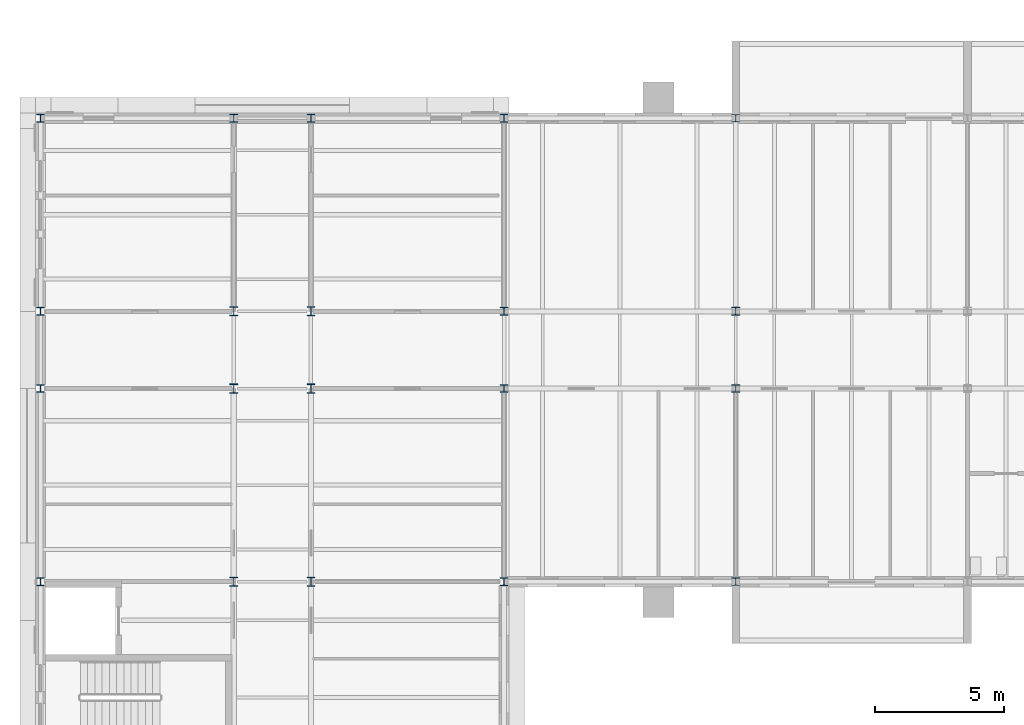
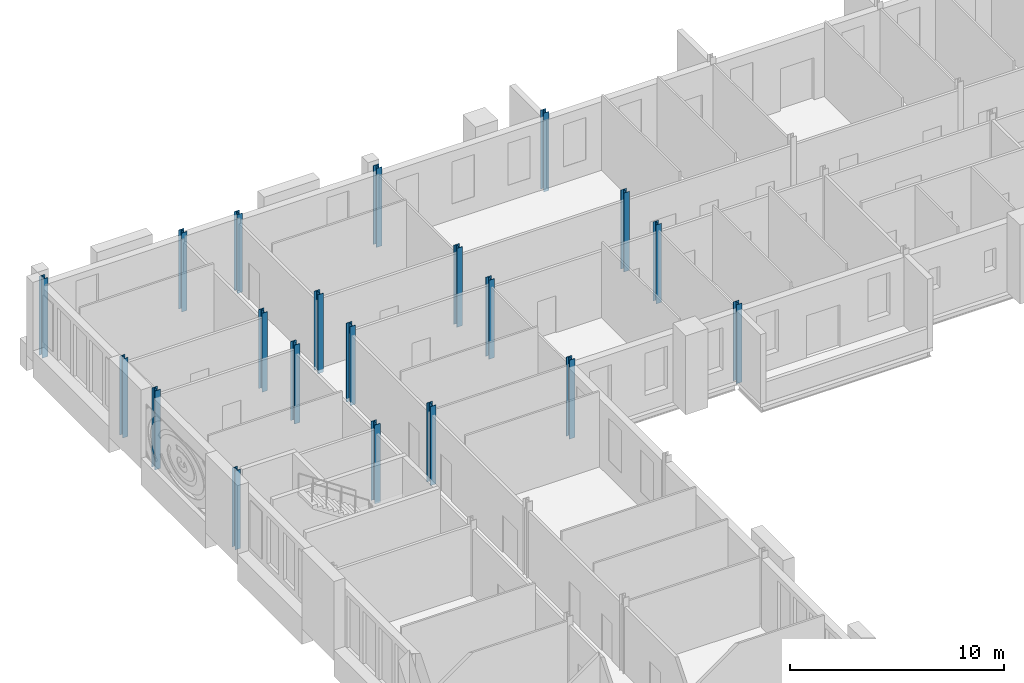
# One storey, part 9 of 134: 20 columns.
"""IFC4 building model written with IfcOpenShell, lengths in metres."""

from ifc_helpers import new_model, si_unit, direction, frame, origin, origin_2d, place, context, subcontext, project, spatial, i_section, extrude, material, material_profile, profile_set, type_object, element, save


model = new_model("IFC4")

# Units and contexts
model_context = context("Model", 3, precision=1e-05, world=origin(), true_north=direction((0.0, 1.0)))
body_context = subcontext(model_context, "Body", "Model", "MODEL_VIEW")
ifc_project = project(units=[si_unit("LENGTHUNIT", "METRE"), si_unit("AREAUNIT", "SQUARE_METRE"), si_unit("VOLUMEUNIT", "CUBIC_METRE"), si_unit("PLANEANGLEUNIT", "RADIAN"), si_unit("MASSUNIT", "GRAM", prefix="KILO")], contexts=[model_context])

# Site, building, storey
site_placement = place(None, origin())
site = spatial("IfcSite", under=ifc_project, at=site_placement, CompositionType="ELEMENT")
building_placement = place(site_placement, origin())
building = spatial("IfcBuilding", under=site, at=building_placement, Name="Golden Quay Civic Hall", CompositionType="ELEMENT")
storey_placement = place(building_placement, frame((0.0, 0.0, 5.39990234375)))
storey = spatial("IfcBuildingStorey", under=building, at=storey_placement, Name="L01", CompositionType="ELEMENT", Elevation=5.39990234375)

# Columns
ifc_material_1 = material(Name="Steel S355", Category="steel")
ifc_material_profile_1 = material_profile(ifc_material_1, i_section(OverallWidth=0.300048828125, OverallDepth=0.2900390625, WebThickness=0.008544921875, FlangeThickness=0.013916015625, FilletRadius=0.027099609375, at=origin_2d()), Name="HEA 300")
ifc_profile_set_1 = profile_set([ifc_material_profile_1], Name="Steel S355")
column_type_1 = type_object("IfcColumnType", Name="Steel column HEA 300", PredefinedType="COLUMN", material=ifc_profile_set_1)
for number, where, z_axis, x_axis, name in (
    (1, (27.0, 63.0, -0.199951171875), (0.0, 0.0, 1.0), (1.0, 0.0, 0.0), "Column 27/63 L01"),
    (2, (27.0, 81.0, -0.199951171875), (0.0, 0.0, 1.0), (1.0, 0.0, 0.0), "Column 27/81 L01"),
):
    element("IfcColumn", number, at=place(storey_placement, frame(where, z_axis=z_axis, x_axis=x_axis)), inside=storey, type_object=column_type_1, Name=name, PredefinedType="COLUMN", context=body_context, shape_type="SweptSolid", body=[
        extrude(i_section(OverallWidth=0.300048828125, OverallDepth=0.2900390625, WebThickness=0.008544921875, FlangeThickness=0.013916015625, FilletRadius=0.027099609375, at=origin_2d()), origin(), (0.0, 0.0, 1.0), 4.5),
    ])
ifc_material_2 = material(Name="Steel S355", Category="steel")
ifc_material_profile_2 = material_profile(ifc_material_2, i_section(OverallWidth=0.300048828125, OverallDepth=0.300048828125, WebThickness=0.010986328125, FlangeThickness=0.01904296875, FilletRadius=0.027099609375, at=origin_2d()), Name="HEB 300")
ifc_profile_set_2 = profile_set([ifc_material_profile_2], Name="Steel S355")
column_type_2 = type_object("IfcColumnType", Name="Steel column HEB 300", PredefinedType="COLUMN", material=ifc_profile_set_2)
for number, where, z_axis, x_axis, name in (
    (3, (0.0, 63.0, -0.199951171875), (0.0, 0.0, 1.0), (1.0, 0.0, 0.0), "Column 0/63 L01"),
    (4, (0.0, 70.5, -0.199951171875), (0.0, 0.0, 1.0), (1.0, 0.0, 0.0), "Column 0/70.5 L01"),
    (5, (0.0, 73.5, -0.199951171875), (0.0, 0.0, 1.0), (1.0, 0.0, 0.0), "Column 0/73.5 L01"),
    (6, (0.0, 81.0, -0.199951171875), (0.0, 0.0, 1.0), (1.0, 0.0, 0.0), "Column 0/81 L01"),
    (7, (7.5, 81.0, -0.199951171875), (0.0, 0.0, 1.0), (1.0, 0.0, 0.0), "Column 7.5/81 L01"),
    (8, (10.5, 81.0, -0.199951171875), (0.0, 0.0, 1.0), (1.0, 0.0, 0.0), "Column 10.5/81 L01"),
    (9, (18.0, 63.0, -0.199951171875), (0.0, 0.0, 1.0), (1.0, 0.0, 0.0), "Column 18/63 L01"),
    (10, (18.0, 70.5, -0.199951171875), (0.0, 0.0, 1.0), (1.0, 0.0, 0.0), "Column 18/70.5 L01"),
    (11, (18.0, 73.5, -0.199951171875), (0.0, 0.0, 1.0), (1.0, 0.0, 0.0), "Column 18/73.5 L01"),
    (12, (18.0, 81.0, -0.199951171875), (0.0, 0.0, 1.0), (1.0, 0.0, 0.0), "Column 18/81 L01"),
    (13, (27.0, 70.5, -0.199951171875), (0.0, 0.0, 1.0), (1.0, 0.0, 0.0), "Column 27/70.5 L01"),
    (14, (27.0, 73.5, -0.199951171875), (0.0, 0.0, 1.0), (1.0, 0.0, 0.0), "Column 27/73.5 L01"),
):
    element("IfcColumn", number, at=place(storey_placement, frame(where, z_axis=z_axis, x_axis=x_axis)), inside=storey, type_object=column_type_2, Name=name, PredefinedType="COLUMN", context=body_context, shape_type="SweptSolid", body=[
        extrude(i_section(OverallWidth=0.300048828125, OverallDepth=0.300048828125, WebThickness=0.010986328125, FlangeThickness=0.01904296875, FilletRadius=0.027099609375, at=origin_2d()), origin(), (0.0, 0.0, 1.0), 4.5),
    ])
ifc_material_3 = material(Name="Steel S355", Category="steel")
ifc_material_profile_3 = material_profile(ifc_material_3, i_section(OverallWidth=0.300048828125, OverallDepth=0.360107421875, WebThickness=0.012451171875, FlangeThickness=0.0224609375, FilletRadius=0.027099609375, at=origin_2d()), Name="HEB 360")
ifc_profile_set_3 = profile_set([ifc_material_profile_3], Name="Steel S355")
column_type_3 = type_object("IfcColumnType", Name="Steel column HEB 360", PredefinedType="COLUMN", material=ifc_profile_set_3)
for number, where, z_axis, x_axis, name in (
    (15, (7.5, 63.0, -0.199951171875), (0.0, 0.0, 1.0), (1.0, 0.0, 0.0), "Column 7.5/63 L01"),
    (16, (7.5, 70.5, -0.199951171875), (0.0, 0.0, 1.0), (1.0, 0.0, 0.0), "Column 7.5/70.5 L01"),
    (17, (7.5, 73.5, -0.199951171875), (0.0, 0.0, 1.0), (1.0, 0.0, 0.0), "Column 7.5/73.5 L01"),
    (18, (10.5, 63.0, -0.199951171875), (0.0, 0.0, 1.0), (1.0, 0.0, 0.0), "Column 10.5/63 L01"),
    (19, (10.5, 70.5, -0.199951171875), (0.0, 0.0, 1.0), (1.0, 0.0, 0.0), "Column 10.5/70.5 L01"),
    (20, (10.5, 73.5, -0.199951171875), (0.0, 0.0, 1.0), (1.0, 0.0, 0.0), "Column 10.5/73.5 L01"),
):
    element("IfcColumn", number, at=place(storey_placement, frame(where, z_axis=z_axis, x_axis=x_axis)), inside=storey, type_object=column_type_3, Name=name, PredefinedType="COLUMN", context=body_context, shape_type="SweptSolid", body=[
        extrude(i_section(OverallWidth=0.300048828125, OverallDepth=0.360107421875, WebThickness=0.012451171875, FlangeThickness=0.0224609375, FilletRadius=0.027099609375, at=origin_2d()), origin(), (0.0, 0.0, 1.0), 4.5),
    ])

save(model, "model.ifc")
